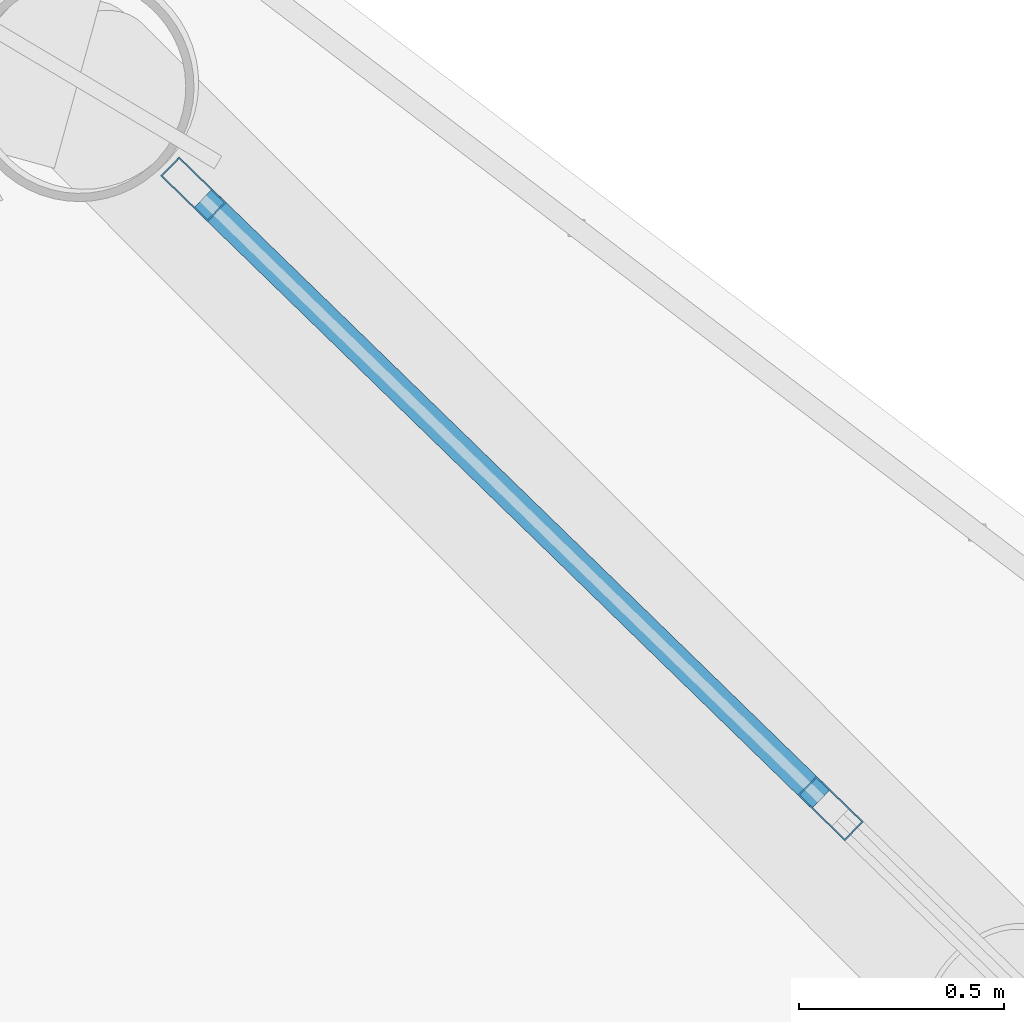
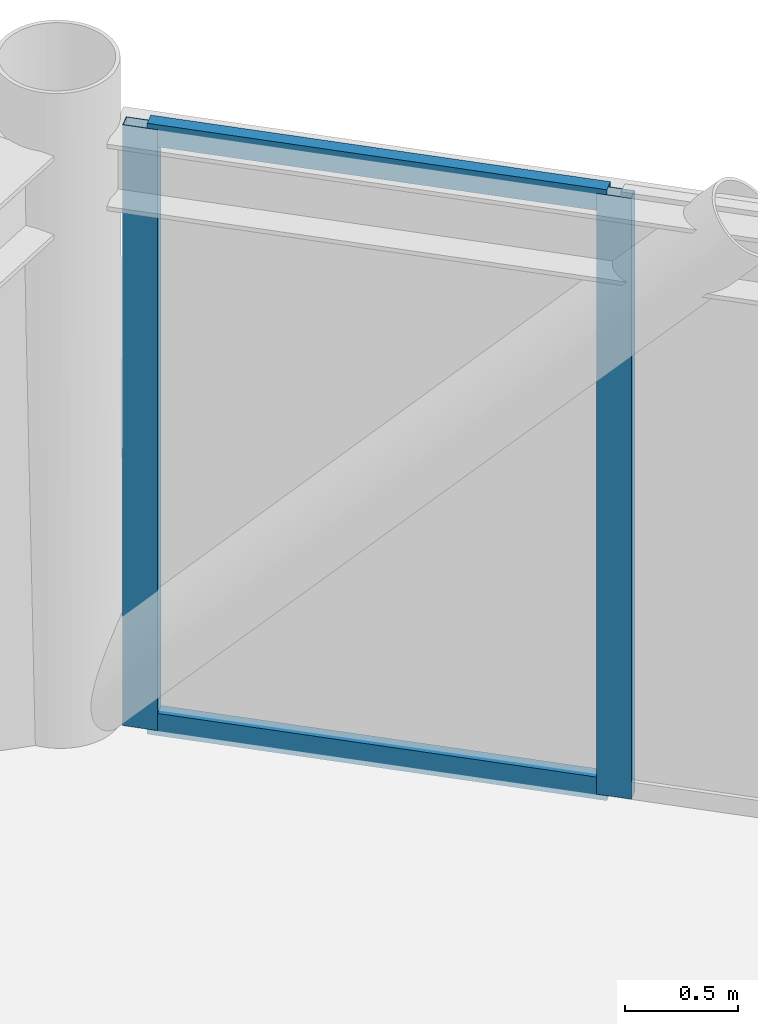
# One storey, part 21 of 28: 4 members, 1 element without a shape of its own.
"""IFC4 building model written with IfcOpenShell, lengths in metres."""

from ifc_helpers import new_model, si_unit, direction, frame, origin, origin_2d, place, context, subcontext, project, spatial, hollow_rectangle, extrude, material, layer, layer_set, material_profile, profile_set, type_object, element, aggregate, save


model = new_model("IFC4")

# Units and contexts
model_context = context("Model", 3, precision=1e-05, world=origin(), true_north=direction((0.0, 1.0)))
body_context = subcontext(model_context, "Body", "Model", "MODEL_VIEW")
ifc_project = project(units=[si_unit("LENGTHUNIT", "METRE"), si_unit("AREAUNIT", "SQUARE_METRE"), si_unit("VOLUMEUNIT", "CUBIC_METRE"), si_unit("PLANEANGLEUNIT", "RADIAN"), si_unit("MASSUNIT", "GRAM", prefix="KILO")], contexts=[model_context])

# Site, building, storey
site_placement = place(None, origin())
site = spatial("IfcSite", under=ifc_project, at=site_placement, CompositionType="ELEMENT")
building_placement = place(site_placement, origin())
building = spatial("IfcBuilding", under=site, at=building_placement, Name="Varnakorn Sky Granary", CompositionType="ELEMENT")
storey_placement = place(building_placement, frame((0.0, 0.0, 236.39990234375)))
storey = spatial("IfcBuildingStorey", under=building, at=storey_placement, Name="L60", CompositionType="ELEMENT", Elevation=236.39990234375)

# Curtain wall, members
ifc_material = material(Name="Anodised Bronze Aluminium Alloy 6063-T6", Category="aluminium")
ifc_layer = layer(ifc_material, 0.159912109375, Name="Anodised Bronze Aluminium Alloy 6063-T6")
ifc_layer_set = layer_set([ifc_layer], Name="Anodised Bronze Aluminium Alloy 6063-T6")
curtain_wall_type = type_object("IfcCurtainWallType", Name="CW-OFF-1", PredefinedType="USERDEFINED", material=ifc_layer_set)
curtain_wall_placement = place(storey_placement, origin())
curtain_wall = element("IfcCurtainWall", 1, at=curtain_wall_placement, inside=storey, type_object=curtain_wall_type, Name="Unitised Curtain Wall CW6 CW-L60-B02", ObjectType="CURTAIN WALL", PredefinedType="USERDEFINED")
ifc_material_profile_1 = material_profile(ifc_material, hollow_rectangle(XDim=0.06494140625, YDim=0.159912109375, WallThickness=0.00341796875, at=origin_2d()), Name="ALU MULL 65x160")
ifc_profile_set_1 = profile_set([ifc_material_profile_1], Name="Anodised Bronze Aluminium Alloy 6063-T6")
member_type_1 = type_object("IfcMemberType", Name="CW-OFF-1-MULL", PredefinedType="MULLION", material=ifc_profile_set_1)
member_1_placement = place(storey_placement, frame((14.398193359375, 15.363037109375, 0.0), z_axis=(0.0, 0.0, 1.0), x_axis=(0.69691520137, 0.717153541509, 0.0)))
member_1 = element("IfcMember", 2, at=member_1_placement, type_object=member_type_1, Name="CW6 mullion 1", PredefinedType="MULLION", context=body_context, shape_type="SweptSolid", body=[
    extrude(hollow_rectangle(XDim=0.06494140625, YDim=0.159912109375, WallThickness=0.00341796875, at=origin_2d()), origin(), (0.0, 0.0, 1.0), 3.25),
])
member_2_placement = place(storey_placement, frame((15.951904296875, 13.853271484375, 0.0), z_axis=(0.0, 0.0, 1.0), x_axis=(0.69691520137, 0.717153541509, 0.0)))
member_2 = element("IfcMember", 3, at=member_2_placement, type_object=member_type_1, Name="CW6 mullion 2", PredefinedType="MULLION", context=body_context, shape_type="SweptSolid", body=[
    extrude(hollow_rectangle(XDim=0.06494140625, YDim=0.159912109375, WallThickness=0.00341796875, at=origin_2d()), origin(), (0.0, 0.0, 1.0), 3.25),
])
ifc_material_profile_2 = material_profile(ifc_material, hollow_rectangle(XDim=0.06494140625, YDim=0.1201171875, WallThickness=0.00341796875, at=origin_2d()), Name="ALU TRAN 65x120")
ifc_profile_set_2 = profile_set([ifc_material_profile_2], Name="Anodised Bronze Aluminium Alloy 6063-T6")
member_type_2 = type_object("IfcMemberType", Name="CW-OFF-1-TRAN", PredefinedType="USERDEFINED", material=ifc_profile_set_2)
member_3_placement = place(storey_placement, frame((14.421630859375, 15.34033203125, 0.03271484375), z_axis=(0.717143312529, -0.696925727244, 0.0), x_axis=(0.696925727244, 0.717143312529, 0.0)))
member_3 = element("IfcMember", 4, at=member_3_placement, type_object=member_type_2, Name="CW6 transom 1.1", ObjectType="TRANSOM", PredefinedType="USERDEFINED", context=body_context, shape_type="SweptSolid", body=[
    extrude(hollow_rectangle(XDim=0.06494140625, YDim=0.1201171875, WallThickness=0.00341796875, at=origin_2d()), origin(), (0.0, 0.0, 1.0), 2.10107421875),
])
member_4_placement = place(storey_placement, frame((14.421630859375, 15.34033203125, 3.217529296875), z_axis=(0.717143312529, -0.696925727244, 0.0), x_axis=(0.696925727244, 0.717143312529, 0.0)))
member_4 = element("IfcMember", 5, at=member_4_placement, type_object=member_type_2, Name="CW6 transom 1.2", ObjectType="TRANSOM", PredefinedType="USERDEFINED", context=body_context, shape_type="SweptSolid", body=[
    extrude(hollow_rectangle(XDim=0.06494140625, YDim=0.1201171875, WallThickness=0.00341796875, at=origin_2d()), origin(), (0.0, 0.0, 1.0), 2.10107421875),
])
aggregate(curtain_wall, [member_1, member_2, member_3, member_4])

save(model, "model.ifc")
